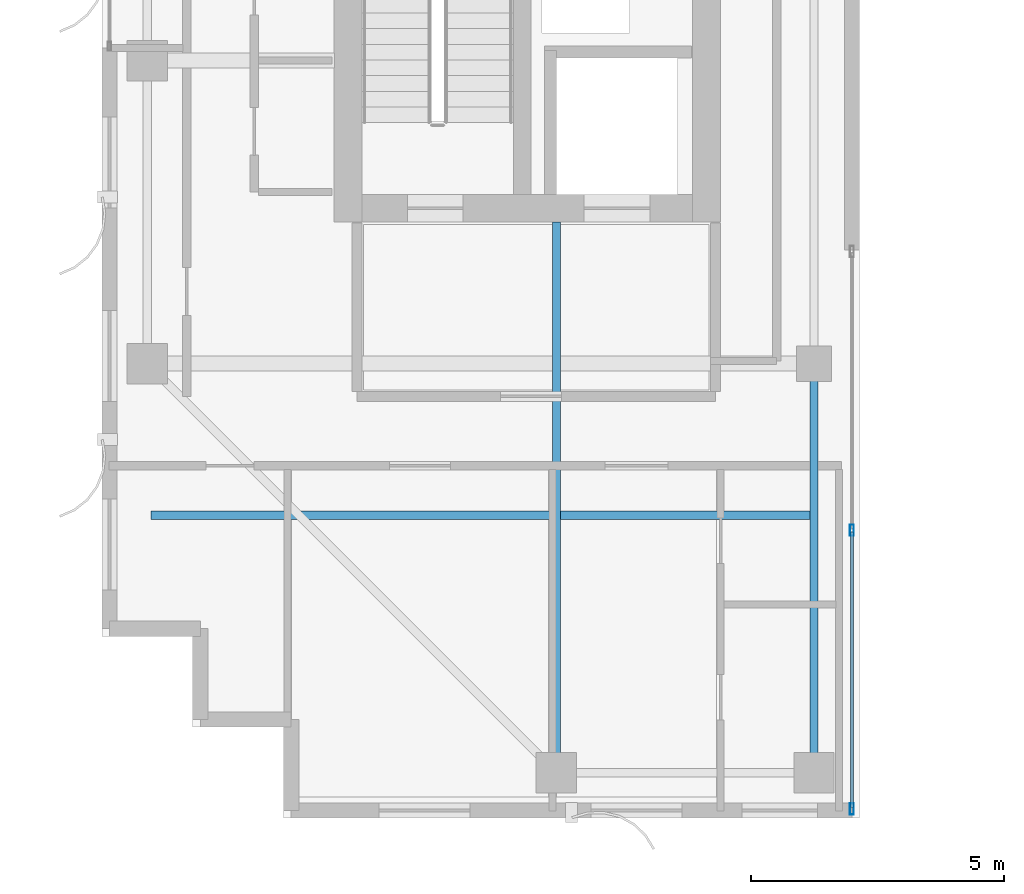
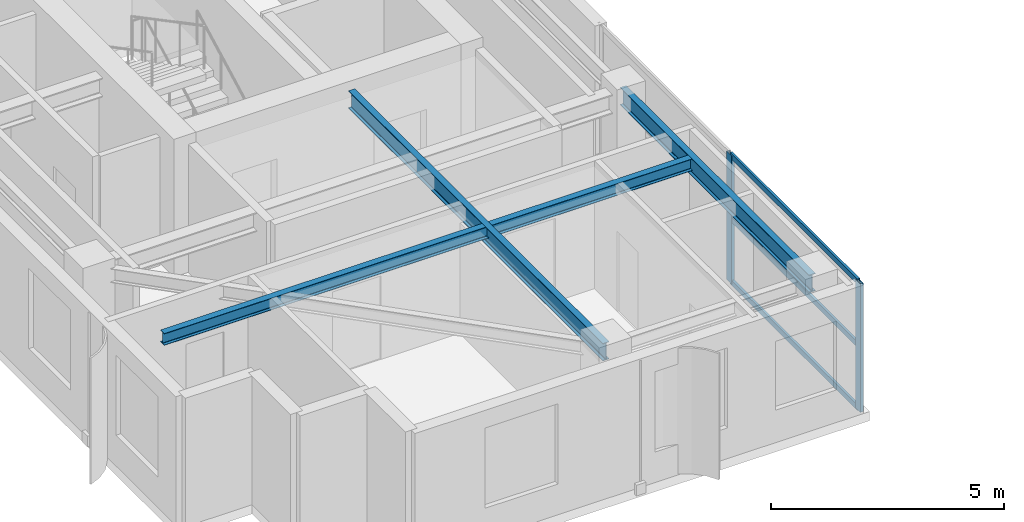
# One storey, part 2 of 24: 5 members, 3 beams, 1 element without a shape of its own.
"""IFC4 building model written with IfcOpenShell, lengths in metres."""

from ifc_helpers import new_model, si_unit, direction, frame, origin, origin_2d, place, context, subcontext, project, spatial, hollow_rectangle, i_section, extrude, source, transform, mapped, material, layer, layer_set, material_profile, profile_set, type_object, element, aggregate, save


model = new_model("IFC4")

# Units and contexts
model_context = context("Model", 3, precision=1e-05, world=origin(), true_north=direction((0.0, 1.0)))
body_context = subcontext(model_context, "Body", "Model", "MODEL_VIEW")
ifc_project = project(units=[si_unit("LENGTHUNIT", "METRE"), si_unit("AREAUNIT", "SQUARE_METRE"), si_unit("VOLUMEUNIT", "CUBIC_METRE"), si_unit("PLANEANGLEUNIT", "RADIAN"), si_unit("MASSUNIT", "GRAM", prefix="KILO")], contexts=[model_context])

# Site, building, storey
site_placement = place(None, origin())
site = spatial("IfcSite", under=ifc_project, at=site_placement, CompositionType="ELEMENT")
building_placement = place(site_placement, origin())
building = spatial("IfcBuilding", under=site, at=building_placement, Name="Khoralis Quay Care Tower", CompositionType="ELEMENT")
storey_placement = place(building_placement, frame((0.0, 0.0, 238.5)))
storey = spatial("IfcBuildingStorey", under=building, at=storey_placement, Name="L62", CompositionType="ELEMENT", Elevation=238.5)

# Beams
ifc_material_1 = material(Name="Steel S355", Category="steel")
ifc_material_profile_1 = material_profile(ifc_material_1, i_section(OverallWidth=0.1650390625, OverallDepth=0.31005859375, WebThickness=0.005859375, FlangeThickness=0.009765625, FilletRadius=0.011962890625, at=origin_2d()), Name="Steel S355")
ifc_profile_set_1 = profile_set([ifc_material_profile_1], Name="Steel S355")
beam_type_1 = type_object("IfcBeamType", Name="BM-W310X39", PredefinedType="JOIST", material=ifc_profile_set_1)
shared_shape_1 = source(origin(), body_context, "Body", "SweptSolid", [
    extrude(i_section(OverallWidth=0.1650390625, OverallDepth=0.31005859375, WebThickness=0.005859375, FlangeThickness=0.009765625, FilletRadius=0.011962890625, at=origin_2d()), origin(), (0.0, 0.0, 1.0), 13.06396484375),
])
beam_1_placement = place(storey_placement, frame((3.970947265625, 9.0, 3.205078125), z_axis=(1.0, 0.0, 0.0), x_axis=(0.0, 1.0, 0.0)))
element("IfcBeam", 1, at=beam_1_placement, inside=storey, type_object=beam_type_1, Name="BM-TJS-L62-17", PredefinedType="JOIST", context=body_context, shape_type="MappedRepresentation", body=[
    mapped(shared_shape_1, transform((0.0, 0.0, 0.0), scale=1.0)),
])
ifc_material_profile_2 = material_profile(ifc_material_1, i_section(OverallWidth=0.154052734375, OverallDepth=0.458984375, WebThickness=0.009033203125, FlangeThickness=0.015380859375, FilletRadius=0.014892578125, at=origin_2d()), Name="Steel S355")
ifc_profile_set_2 = profile_set([ifc_material_profile_2], Name="Steel S355")
beam_type_2 = type_object("IfcBeamType", Name="BM-W460X68", PredefinedType="BEAM", material=ifc_profile_set_2)
shared_shape_2 = source(origin(), body_context, "Body", "SweptSolid", [
    extrude(i_section(OverallWidth=0.154052734375, OverallDepth=0.458984375, WebThickness=0.009033203125, FlangeThickness=0.015380859375, FilletRadius=0.014892578125, at=origin_2d()), origin(), (0.0, 0.0, 1.0), 10.902099609375),
])
beam_2_placement = place(storey_placement, frame((12.0, 3.89990234375, 3.130615234375), z_axis=(0.0, 1.0, 0.0), x_axis=(-1.0, 0.0, 0.0)))
element("IfcBeam", 2, at=beam_2_placement, inside=storey, type_object=beam_type_2, Name="BM-TGYS-L62-120", PredefinedType="BEAM", context=body_context, shape_type="MappedRepresentation", body=[
    mapped(shared_shape_2, transform((0.0, 0.0, 0.0), scale=1.0)),
])
shared_shape_3 = source(origin(), body_context, "Body", "SweptSolid", [
    extrude(i_section(OverallWidth=0.154052734375, OverallDepth=0.458984375, WebThickness=0.009033203125, FlangeThickness=0.015380859375, FilletRadius=0.014892578125, at=origin_2d()), origin(), (0.0, 0.0, 1.0), 8.10009765625),
])
beam_3_placement = place(storey_placement, frame((17.10009765625, 3.89990234375, 3.130615234375), z_axis=(0.0, 1.0, 0.0), x_axis=(-1.0, 0.0, 0.0)))
element("IfcBeam", 3, at=beam_3_placement, inside=storey, type_object=beam_type_2, Name="BM-TGYS-L62-171", PredefinedType="BEAM", context=body_context, shape_type="MappedRepresentation", body=[
    mapped(shared_shape_3, transform((0.0, 0.0, 0.0), scale=1.0)),
])

# Curtain wall, members
ifc_material_2 = material(Name="Pale anodised aluminium", Category="aluminium")
ifc_layer = layer(ifc_material_2, 0.18994140625)
ifc_layer_set = layer_set([ifc_layer], Name="Pale anodised aluminium")
curtain_wall_type = type_object("IfcCurtainWallType", Name="CW-SYS-PORTAL", PredefinedType="NOTDEFINED", material=ifc_layer_set)
curtain_wall_placement = place(storey_placement, origin())
curtain_wall = element("IfcCurtainWall", 4, at=curtain_wall_placement, inside=storey, type_object=curtain_wall_type, Name="L62 Unitised Curtain Wall CW-VP-L62-P1-S", PredefinedType="NOTDEFINED")
ifc_material_profile_3 = material_profile(ifc_material_2, hollow_rectangle(XDim=0.074951171875, YDim=0.219970703125, WallThickness=0.00390625, at=origin_2d()), Name="Pale anodised aluminium")
ifc_profile_set_3 = profile_set([ifc_material_profile_3], Name="Pale anodised aluminium")
member_type_1 = type_object("IfcMemberType", Name="CW-MUL-220", PredefinedType="MULLION", material=ifc_profile_set_3)
shared_shape_4 = source(origin(), body_context, "Body", "SweptSolid", [
    extrude(hollow_rectangle(XDim=0.074951171875, YDim=0.219970703125, WallThickness=0.00390625, at=origin_2d()), origin(), (0.0, 0.0, 1.0), 3.360107421875),
])
member_1_placement = place(storey_placement, frame((17.85009765625, 3.179931640625, 0.0), z_axis=(0.0, 0.0, 1.0), x_axis=(-1.0, 0.0, 0.0)))
member_1 = element("IfcMember", 5, at=member_1_placement, type_object=member_type_1, Name="CW4 mullion 1", PredefinedType="MULLION", context=body_context, shape_type="MappedRepresentation", body=[
    mapped(shared_shape_4, transform((0.0, 0.0, 0.0), scale=1.0)),
])
member_2_placement = place(storey_placement, frame((17.85009765625, 8.699951171875, 0.0), z_axis=(0.0, 0.0, 1.0), x_axis=(-1.0, 0.0, 0.0)))
member_2 = element("IfcMember", 6, at=member_2_placement, type_object=member_type_1, Name="CW4 mullion 2", PredefinedType="MULLION", context=body_context, shape_type="MappedRepresentation", body=[
    mapped(shared_shape_4, transform((0.0, 0.0, 0.0), scale=1.0)),
])
ifc_material_profile_4 = material_profile(ifc_material_2, hollow_rectangle(XDim=0.06005859375, YDim=0.139892578125, WallThickness=0.00390625, at=origin_2d()), Name="Pale anodised aluminium")
ifc_profile_set_4 = profile_set([ifc_material_profile_4], Name="Pale anodised aluminium")
member_type_2 = type_object("IfcMemberType", Name="CW-TRN-140", PredefinedType="USERDEFINED", material=ifc_profile_set_4)
shared_shape_5 = source(origin(), body_context, "Body", "SweptSolid", [
    extrude(hollow_rectangle(XDim=0.06005859375, YDim=0.139892578125, WallThickness=0.00390625, at=origin_2d()), origin(), (0.0, 0.0, 1.0), 5.4599609375),
])
member_3_placement = place(storey_placement, frame((17.85009765625, 3.2099609375, 0.030029296875), z_axis=(0.0, 1.0, 0.0), x_axis=(-1.0, 0.0, 0.0)))
member_3 = element("IfcMember", 7, at=member_3_placement, type_object=member_type_2, Name="CW4 transom 1.1", ObjectType="TRANSOM", PredefinedType="USERDEFINED", context=body_context, shape_type="MappedRepresentation", body=[
    mapped(shared_shape_5, transform((0.0, 0.0, 0.0), scale=1.0)),
])
member_4_placement = place(storey_placement, frame((17.85009765625, 3.2099609375, 1.679931640625), z_axis=(0.0, 1.0, 0.0), x_axis=(-1.0, 0.0, 0.0)))
member_4 = element("IfcMember", 8, at=member_4_placement, type_object=member_type_2, Name="CW4 transom 1.2", ObjectType="TRANSOM", PredefinedType="USERDEFINED", context=body_context, shape_type="MappedRepresentation", body=[
    mapped(shared_shape_5, transform((0.0, 0.0, 0.0), scale=1.0)),
])
member_5_placement = place(storey_placement, frame((17.85009765625, 3.2099609375, 3.330078125), z_axis=(0.0, 1.0, 0.0), x_axis=(-1.0, 0.0, 0.0)))
member_5 = element("IfcMember", 9, at=member_5_placement, type_object=member_type_2, Name="CW4 transom 1.3", ObjectType="TRANSOM", PredefinedType="USERDEFINED", context=body_context, shape_type="MappedRepresentation", body=[
    mapped(shared_shape_5, transform((0.0, 0.0, 0.0), scale=1.0)),
])
aggregate(curtain_wall, [member_1, member_2, member_3, member_4, member_5])

save(model, "model.ifc")
